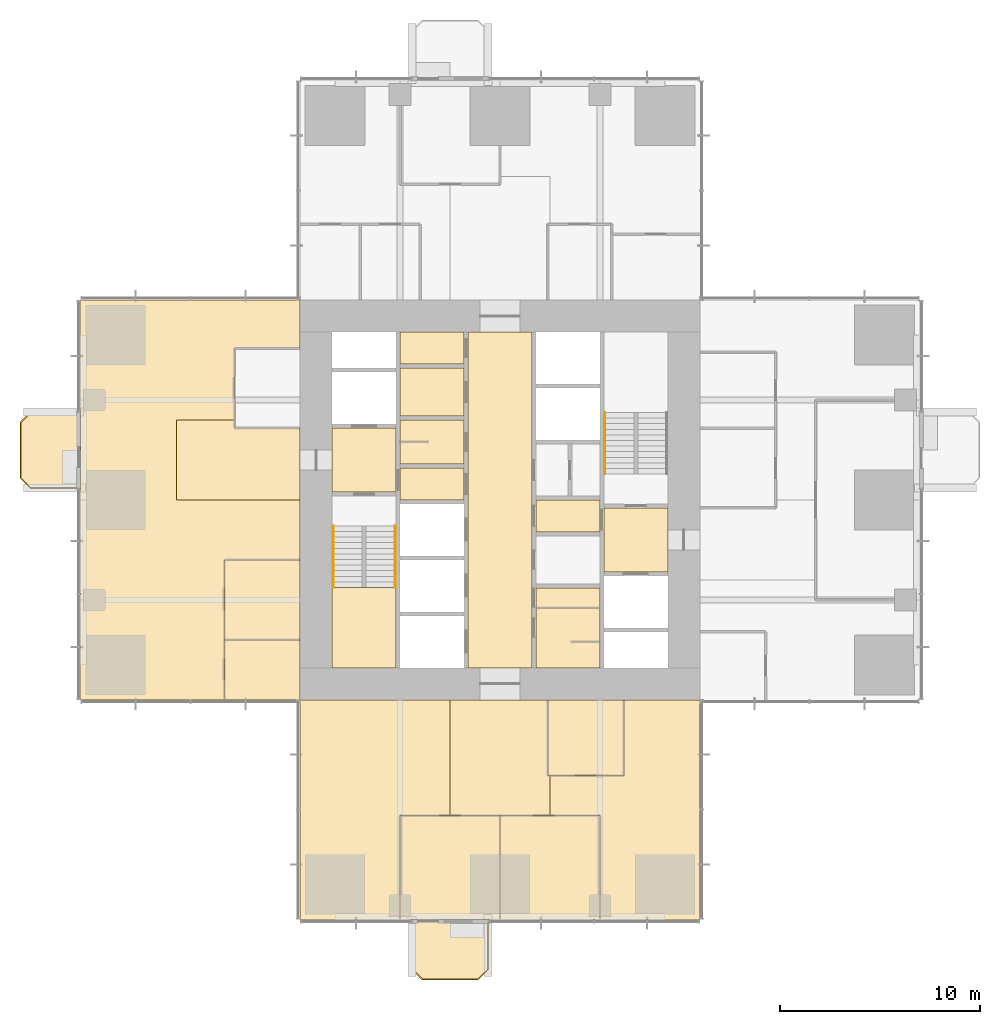
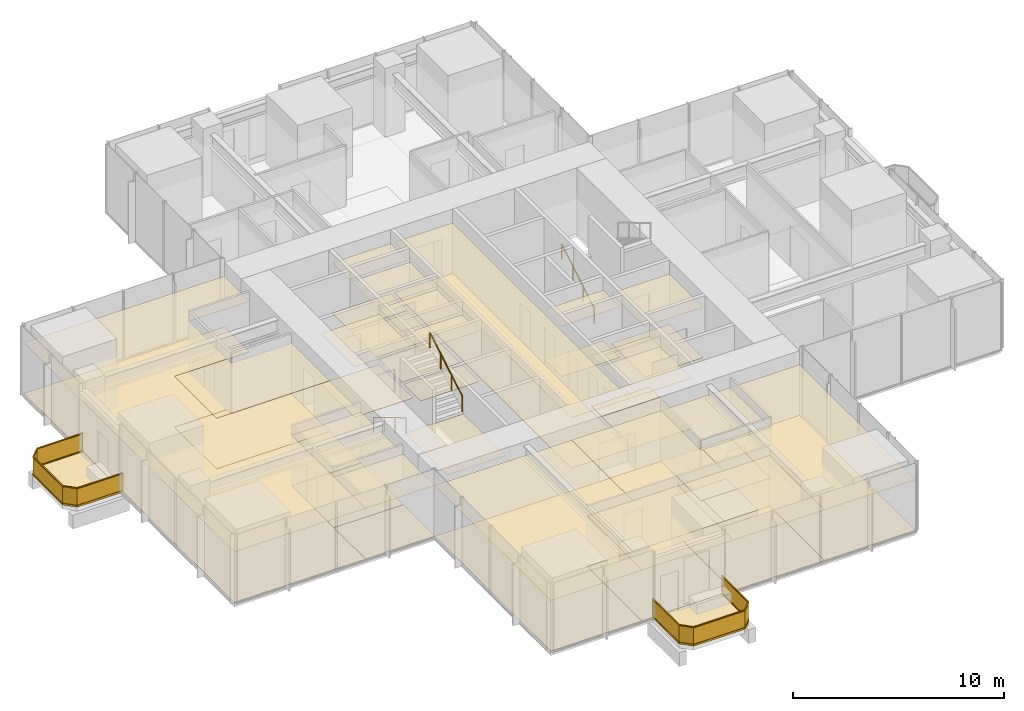
# One storey, part 11 of 13: 43 coverings, 5 railings.
"""IFC4 building model written with IfcOpenShell, lengths in metres."""

from ifc_helpers import new_model, si_unit, direction, frame, origin, origin_2d, place, context, subcontext, project, spatial, polyline, rectangle, circle, outline, extrude, material, layer, layer_set, type_object, element, save


model = new_model("IFC4")

# Units and contexts
model_context = context("Model", 3, precision=1e-05, world=origin(), true_north=direction((0.0, 1.0)))
body_context = subcontext(model_context, "Body", "Model", "MODEL_VIEW")
ifc_project = project(units=[si_unit("LENGTHUNIT", "METRE"), si_unit("AREAUNIT", "SQUARE_METRE"), si_unit("VOLUMEUNIT", "CUBIC_METRE"), si_unit("PLANEANGLEUNIT", "RADIAN"), si_unit("MASSUNIT", "GRAM", prefix="KILO")], contexts=[model_context])

# Site, building, storey
site_placement = place(None, origin())
site = spatial("IfcSite", under=ifc_project, at=site_placement, CompositionType="ELEMENT")
building_placement = place(site_placement, origin())
building = spatial("IfcBuilding", under=site, at=building_placement, Name="Svetlomir Tower", CompositionType="ELEMENT")
storey_placement = place(building_placement, frame((0.0, 0.0, 156.5)))
storey = spatial("IfcBuildingStorey", under=building, at=storey_placement, Name="L37", CompositionType="ELEMENT", Elevation=156.5)

# Railings
ifc_material_1 = material(Name="Bronze anodised aluminium and laminated glass", Category="aluminium")
railing_type_1 = type_object("IfcRailingType", Name="BALCONY GUARD GR1 1100", PredefinedType="GUARDRAIL", material=ifc_material_1)
railing_1_placement = place(storey_placement, frame((16.60009765625, 0.0, 0.0)))
element("IfcRailing", 1, at=railing_1_placement, inside=storey, type_object=railing_type_1, Name="Balcony guard S L37", PredefinedType="GUARDRAIL", context=body_context, shape_type="SweptSolid", body=[
    extrude(rectangle(XDim=0.06005859375, YDim=0.10009765625, at=origin_2d()), frame((0.0, 0.0, 0.050048828125), z_axis=(0.0, -1.0, 0.0), x_axis=(1.0, 0.0, 0.0)), (0.0, 0.0, 1.0), 2.5),
    extrude(rectangle(XDim=0.021484375, YDim=0.960205078125, at=origin_2d()), frame((0.0, 0.0, 0.580078125), z_axis=(0.0, -1.0, 0.0), x_axis=(1.0, 0.0, 0.0)), (0.0, 0.0, 1.0), 2.5),
    extrude(rectangle(XDim=0.06005859375, YDim=0.0400390625, at=origin_2d()), frame((0.0, 0.0, 1.080078125), z_axis=(0.0, -1.0, 0.0), x_axis=(1.0, 0.0, 0.0)), (0.0, 0.0, 1.0), 2.5),
    extrude(rectangle(XDim=0.06005859375, YDim=0.10009765625, at=origin_2d()), frame((0.0, -2.5, 0.050048828125), z_axis=(0.707106781187, -0.707106781187, 0.0), x_axis=(0.707106781187, 0.707106781187, 0.0)), (0.0, 0.0, 1.0), 0.70703125),
    extrude(rectangle(XDim=0.021484375, YDim=0.960205078125, at=origin_2d()), frame((0.0, -2.5, 0.580078125), z_axis=(0.707106781187, -0.707106781187, 0.0), x_axis=(0.707106781187, 0.707106781187, 0.0)), (0.0, 0.0, 1.0), 0.70703125),
    extrude(rectangle(XDim=0.06005859375, YDim=0.0400390625, at=origin_2d()), frame((0.0, -2.5, 1.080078125), z_axis=(0.707106781187, -0.707106781187, 0.0), x_axis=(0.707106781187, 0.707106781187, 0.0)), (0.0, 0.0, 1.0), 0.70703125),
    extrude(rectangle(XDim=0.06005859375, YDim=0.10009765625, at=origin_2d()), frame((0.5, -3.0, 0.050048828125), z_axis=(1.0, 0.0, 0.0), x_axis=(0.0, 1.0, 0.0)), (0.0, 0.0, 1.0), 2.7998046875),
    extrude(rectangle(XDim=0.021484375, YDim=0.960205078125, at=origin_2d()), frame((0.5, -3.0, 0.580078125), z_axis=(1.0, 0.0, 0.0), x_axis=(0.0, 1.0, 0.0)), (0.0, 0.0, 1.0), 2.7998046875),
    extrude(rectangle(XDim=0.06005859375, YDim=0.0400390625, at=origin_2d()), frame((0.5, -3.0, 1.080078125), z_axis=(1.0, 0.0, 0.0), x_axis=(0.0, 1.0, 0.0)), (0.0, 0.0, 1.0), 2.7998046875),
    extrude(rectangle(XDim=0.06005859375, YDim=0.10009765625, at=origin_2d()), frame((3.2998046875, -3.0, 0.050048828125), z_axis=(0.707106781187, 0.707106781187, 0.0), x_axis=(-0.707106781187, 0.707106781187, 0.0)), (0.0, 0.0, 1.0), 0.70703125),
    extrude(rectangle(XDim=0.021484375, YDim=0.960205078125, at=origin_2d()), frame((3.2998046875, -3.0, 0.580078125), z_axis=(0.707106781187, 0.707106781187, 0.0), x_axis=(-0.707106781187, 0.707106781187, 0.0)), (0.0, 0.0, 1.0), 0.70703125),
    extrude(rectangle(XDim=0.06005859375, YDim=0.0400390625, at=origin_2d()), frame((3.2998046875, -3.0, 1.080078125), z_axis=(0.707106781187, 0.707106781187, 0.0), x_axis=(-0.707106781187, 0.707106781187, 0.0)), (0.0, 0.0, 1.0), 0.70703125),
    extrude(rectangle(XDim=0.06005859375, YDim=0.10009765625, at=origin_2d()), frame((3.7998046875, -2.5, 0.050048828125), z_axis=(0.0, 1.0, 0.0), x_axis=(-1.0, 0.0, 0.0)), (0.0, 0.0, 1.0), 2.5),
    extrude(rectangle(XDim=0.021484375, YDim=0.960205078125, at=origin_2d()), frame((3.7998046875, -2.5, 0.580078125), z_axis=(0.0, 1.0, 0.0), x_axis=(-1.0, 0.0, 0.0)), (0.0, 0.0, 1.0), 2.5),
    extrude(rectangle(XDim=0.06005859375, YDim=0.0400390625, at=origin_2d()), frame((3.7998046875, -2.5, 1.080078125), z_axis=(0.0, 1.0, 0.0), x_axis=(-1.0, 0.0, 0.0)), (0.0, 0.0, 1.0), 2.5),
])
railing_2_placement = place(storey_placement, frame((0.0, 25.39990234375, 0.0)))
element("IfcRailing", 2, at=railing_2_placement, inside=storey, type_object=railing_type_1, Name="Balcony guard W L37", PredefinedType="GUARDRAIL", context=body_context, shape_type="SweptSolid", body=[
    extrude(rectangle(XDim=0.06005859375, YDim=0.10009765625, at=origin_2d()), frame((0.0, 0.0, 0.050048828125), z_axis=(-1.0, 0.0, 0.0), x_axis=(0.0, -1.0, 0.0)), (0.0, 0.0, 1.0), 2.5),
    extrude(rectangle(XDim=0.021484375, YDim=0.960205078125, at=origin_2d()), frame((0.0, 0.0, 0.580078125), z_axis=(-1.0, 0.0, 0.0), x_axis=(0.0, -1.0, 0.0)), (0.0, 0.0, 1.0), 2.5),
    extrude(rectangle(XDim=0.06005859375, YDim=0.0400390625, at=origin_2d()), frame((0.0, 0.0, 1.080078125), z_axis=(-1.0, 0.0, 0.0), x_axis=(0.0, -1.0, 0.0)), (0.0, 0.0, 1.0), 2.5),
    extrude(rectangle(XDim=0.06005859375, YDim=0.10009765625, at=origin_2d()), frame((-2.5, 0.0, 0.050048828125), z_axis=(-0.707106781187, -0.707106781187, 0.0), x_axis=(0.707106781187, -0.707106781187, 0.0)), (0.0, 0.0, 1.0), 0.70703125),
    extrude(rectangle(XDim=0.021484375, YDim=0.960205078125, at=origin_2d()), frame((-2.5, 0.0, 0.580078125), z_axis=(-0.707106781187, -0.707106781187, 0.0), x_axis=(0.707106781187, -0.707106781187, 0.0)), (0.0, 0.0, 1.0), 0.70703125),
    extrude(rectangle(XDim=0.06005859375, YDim=0.0400390625, at=origin_2d()), frame((-2.5, 0.0, 1.080078125), z_axis=(-0.707106781187, -0.707106781187, 0.0), x_axis=(0.707106781187, -0.707106781187, 0.0)), (0.0, 0.0, 1.0), 0.70703125),
    extrude(rectangle(XDim=0.06005859375, YDim=0.10009765625, at=origin_2d()), frame((-3.0, -0.5, 0.050048828125), z_axis=(0.0, -1.0, 0.0), x_axis=(1.0, 0.0, 0.0)), (0.0, 0.0, 1.0), 2.7998046875),
    extrude(rectangle(XDim=0.021484375, YDim=0.960205078125, at=origin_2d()), frame((-3.0, -0.5, 0.580078125), z_axis=(0.0, -1.0, 0.0), x_axis=(1.0, 0.0, 0.0)), (0.0, 0.0, 1.0), 2.7998046875),
    extrude(rectangle(XDim=0.06005859375, YDim=0.0400390625, at=origin_2d()), frame((-3.0, -0.5, 1.080078125), z_axis=(0.0, -1.0, 0.0), x_axis=(1.0, 0.0, 0.0)), (0.0, 0.0, 1.0), 2.7998046875),
    extrude(rectangle(XDim=0.06005859375, YDim=0.10009765625, at=origin_2d()), frame((-3.0, -3.2998046875, 0.050048828125), z_axis=(0.707106781187, -0.707106781187, 0.0), x_axis=(0.707106781187, 0.707106781187, 0.0)), (0.0, 0.0, 1.0), 0.70703125),
    extrude(rectangle(XDim=0.021484375, YDim=0.960205078125, at=origin_2d()), frame((-3.0, -3.2998046875, 0.580078125), z_axis=(0.707106781187, -0.707106781187, 0.0), x_axis=(0.707106781187, 0.707106781187, 0.0)), (0.0, 0.0, 1.0), 0.70703125),
    extrude(rectangle(XDim=0.06005859375, YDim=0.0400390625, at=origin_2d()), frame((-3.0, -3.2998046875, 1.080078125), z_axis=(0.707106781187, -0.707106781187, 0.0), x_axis=(0.707106781187, 0.707106781187, 0.0)), (0.0, 0.0, 1.0), 0.70703125),
    extrude(rectangle(XDim=0.06005859375, YDim=0.10009765625, at=origin_2d()), frame((-2.5, -3.7998046875, 0.050048828125), z_axis=(1.0, 0.0, 0.0), x_axis=(0.0, 1.0, 0.0)), (0.0, 0.0, 1.0), 2.5),
    extrude(rectangle(XDim=0.021484375, YDim=0.960205078125, at=origin_2d()), frame((-2.5, -3.7998046875, 0.580078125), z_axis=(1.0, 0.0, 0.0), x_axis=(0.0, 1.0, 0.0)), (0.0, 0.0, 1.0), 2.5),
    extrude(rectangle(XDim=0.06005859375, YDim=0.0400390625, at=origin_2d()), frame((-2.5, -3.7998046875, 1.080078125), z_axis=(1.0, 0.0, 0.0), x_axis=(0.0, 1.0, 0.0)), (0.0, 0.0, 1.0), 2.5),
])

# Coverings
ifc_material_2 = material(Name="Granite paving slabs on pedestals", Category="masonry")
ifc_layer_1 = layer(ifc_material_2, 0.0400390625)
ifc_layer_set_1 = layer_set([ifc_layer_1], Name="Granite paving slabs on pedestals")
covering_type_1 = type_object("IfcCoveringType", Name="BALCONY PAVING 40", PredefinedType="USERDEFINED", material=ifc_layer_set_1)
covering_1_placement = place(storey_placement, origin())
element("IfcCovering", 3, at=covering_1_placement, inside=storey, type_object=covering_type_1, Name="Balcony paving S L37", ObjectType="BALCONY PAVING", PredefinedType="USERDEFINED", context=body_context, shape_type="SweptSolid", body=[
    extrude(outline(polyline([(16.60009765625, -2.5), (17.10009765625, -3.0), (19.89990234375, -3.0), (20.39990234375, -2.5), (20.39990234375, 0.0), (16.60009765625, 0.0), (16.60009765625, -2.5)])), origin(), (0.0, 0.0, 1.0), 0.0400390625),
])
covering_2_placement = place(storey_placement, origin())
element("IfcCovering", 4, at=covering_2_placement, inside=storey, type_object=covering_type_1, Name="Balcony paving W L37", ObjectType="BALCONY PAVING", PredefinedType="USERDEFINED", context=body_context, shape_type="SweptSolid", body=[
    extrude(outline(polyline([(-2.5, 21.60009765625), (0.0, 21.60009765625), (0.0, 25.39990234375), (-2.5, 25.39990234375), (-3.0, 24.89990234375), (-3.0, 22.10009765625), (-2.5, 21.60009765625)])), origin(), (0.0, 0.0, 1.0), 0.0400390625),
])
ifc_material_3 = material(Name="Carpet tile", Category="textile")
ifc_layer_2 = layer(ifc_material_3, 0.010009765625)
ifc_layer_set_2 = layer_set([ifc_layer_2], Name="Carpet tile")
covering_type_2 = type_object("IfcCoveringType", Name="CARPET TILE FLOOR 10", PredefinedType="FLOORING", material=ifc_layer_set_2)
covering_3_placement = place(storey_placement, origin())
element("IfcCovering", 5, at=covering_3_placement, inside=storey, type_object=covering_type_2, Name="Floor finish L37-16", PredefinedType="FLOORING", context=body_context, shape_type="SweptSolid", body=[
    extrude(outline(polyline([(23.39990234375, 7.199951171875), (27.199951171875, 7.199951171875), (27.199951171875, 11.0), (23.39990234375, 11.0), (23.39990234375, 7.199951171875)])), origin(), (0.0, 0.0, 1.0), 0.010009765625),
])
covering_4_placement = place(storey_placement, origin())
element("IfcCovering", 6, at=covering_4_placement, inside=storey, type_object=covering_type_2, Name="Floor finish L37-17", PredefinedType="FLOORING", context=body_context, shape_type="SweptSolid", body=[
    extrude(outline(polyline([(16.0, 0.0), (21.0, 0.0), (21.0, 5.199951171875), (16.0, 5.199951171875), (16.0, 0.0)])), origin(), (0.0, 0.0, 1.0), 0.010009765625),
])
covering_5_placement = place(storey_placement, origin())
element("IfcCovering", 7, at=covering_5_placement, inside=storey, type_object=covering_type_2, Name="Floor finish L37-18", PredefinedType="FLOORING", context=body_context, shape_type="SweptSolid", body=[
    extrude(outline(polyline([(21.0, 0.0), (26.0, 0.0), (26.0, 5.199951171875), (21.0, 5.199951171875), (21.0, 0.0)])), origin(), (0.0, 0.0, 1.0), 0.010009765625),
])
covering_6_placement = place(storey_placement, origin())
element("IfcCovering", 8, at=covering_6_placement, inside=storey, type_object=covering_type_2, Name="Floor finish L37-28", PredefinedType="FLOORING", context=body_context, shape_type="SweptSolid", body=[
    extrude(outline(polyline([(7.199951171875, 11.0), (11.0, 11.0), (11.0, 14.0), (7.199951171875, 14.0), (7.199951171875, 11.0)])), origin(), (0.0, 0.0, 1.0), 0.010009765625),
])
covering_7_placement = place(storey_placement, origin())
element("IfcCovering", 9, at=covering_7_placement, inside=storey, type_object=covering_type_2, Name="Floor finish L37-29", PredefinedType="FLOORING", context=body_context, shape_type="SweptSolid", body=[
    extrude(outline(polyline([(7.199951171875, 14.0), (11.0, 14.0), (11.0, 18.0), (7.199951171875, 18.0), (7.199951171875, 14.0)])), origin(), (0.0, 0.0, 1.0), 0.010009765625),
])
covering_8_placement = place(storey_placement, origin())
element("IfcCovering", 10, at=covering_8_placement, inside=storey, type_object=covering_type_2, Name="Floor finish L37-31", PredefinedType="FLOORING", context=body_context, shape_type="SweptSolid", body=[
    extrude(outline(polyline([(23.39990234375, 11.0), (23.39990234375, 7.199951171875), (23.5, 7.199951171875), (23.5, 5.199951171875), (18.5, 5.199951171875), (18.5, 11.0), (23.39990234375, 11.0)])), origin(), (0.0, 0.0, 1.0), 0.010009765625),
])
covering_9_placement = place(storey_placement, origin())
element("IfcCovering", 11, at=covering_9_placement, inside=storey, type_object=covering_type_2, Name="Floor finish L37-34", PredefinedType="FLOORING", context=body_context, shape_type="SweptSolid", body=[
    extrude(outline(polyline([(7.699951171875, 24.60009765625), (11.0, 24.60009765625), (11.0, 21.0), (4.800048828125, 21.0), (4.800048828125, 25.0), (7.699951171875, 25.0), (7.699951171875, 24.60009765625)])), origin(), (0.0, 0.0, 1.0), 0.010009765625),
])
covering_10_placement = place(storey_placement, origin())
element("IfcCovering", 12, at=covering_10_placement, inside=storey, type_object=covering_type_2, Name="Floor finish L37-35", PredefinedType="FLOORING", context=body_context, shape_type="SweptSolid", body=[
    extrude(outline(polyline([(18.5, 11.0), (18.5, 5.199951171875), (16.0, 5.199951171875), (16.0, 0.0), (11.0, 0.0), (11.0, 11.0), (18.5, 11.0)])), origin(), (0.0, 0.0, 1.0), 0.010009765625),
])
covering_11_placement = place(storey_placement, origin())
element("IfcCovering", 13, at=covering_11_placement, inside=storey, type_object=covering_type_2, Name="Floor finish L37-36", PredefinedType="FLOORING", context=body_context, shape_type="SweptSolid", body=[
    extrude(outline(polyline([(27.199951171875, 11.0), (31.0, 11.0), (31.0, 0.0), (26.0, 0.0), (26.0, 5.199951171875), (23.5, 5.199951171875), (23.5, 7.199951171875), (27.199951171875, 7.199951171875), (27.199951171875, 11.0)])), origin(), (0.0, 0.0, 1.0), 0.010009765625),
])
covering_12_placement = place(storey_placement, origin())
element("IfcCovering", 14, at=covering_12_placement, inside=storey, type_object=covering_type_2, Name="Floor finish L37-41", PredefinedType="FLOORING", context=body_context, shape_type="SweptSolid", body=[
    extrude(outline(polyline([(11.0, 31.0), (11.0, 28.60009765625), (7.699951171875, 28.60009765625), (7.699951171875, 25.0), (4.800048828125, 25.0), (4.800048828125, 21.0), (11.0, 21.0), (11.0, 18.0), (7.199951171875, 18.0), (7.199951171875, 11.0), (0.0, 11.0), (0.0, 31.0), (11.0, 31.0)])), origin(), (0.0, 0.0, 1.0), 0.010009765625),
])
ifc_material_4 = material(Name="Ceramic floor tile", Category="ceramic")
ifc_layer_3 = layer(ifc_material_4, 0.014892578125)
ifc_layer_set_3 = layer_set([ifc_layer_3], Name="Ceramic floor tile")
covering_type_3 = type_object("IfcCoveringType", Name="CERAMIC TILE FLOOR 15", PredefinedType="FLOORING", material=ifc_layer_set_3)
covering_13_placement = place(storey_placement, origin())
element("IfcCovering", 15, at=covering_13_placement, inside=storey, type_object=covering_type_3, Name="Floor finish L37-04", PredefinedType="FLOORING", context=body_context, shape_type="SweptSolid", body=[
    extrude(outline(polyline([(16.0, 22.800048828125), (19.199951171875, 22.800048828125), (19.199951171875, 25.0), (16.0, 25.0), (16.0, 22.800048828125)])), origin(), (0.0, 0.0, 1.0), 0.014892578125),
])
covering_14_placement = place(storey_placement, origin())
element("IfcCovering", 16, at=covering_14_placement, inside=storey, type_object=covering_type_3, Name="Floor finish L37-05", PredefinedType="FLOORING", context=body_context, shape_type="SweptSolid", body=[
    extrude(outline(polyline([(16.0, 25.199951171875), (19.199951171875, 25.199951171875), (19.199951171875, 27.60009765625), (16.0, 27.60009765625), (16.0, 25.199951171875)])), origin(), (0.0, 0.0, 1.0), 0.014892578125),
])
covering_15_placement = place(storey_placement, origin())
element("IfcCovering", 17, at=covering_15_placement, inside=storey, type_object=covering_type_3, Name="Floor finish L37-08", PredefinedType="FLOORING", context=body_context, shape_type="SweptSolid", body=[
    extrude(outline(polyline([(22.800048828125, 15.60009765625), (26.0, 15.60009765625), (26.0, 16.60009765625), (22.800048828125, 16.60009765625), (22.800048828125, 15.60009765625)])), origin(), (0.0, 0.0, 1.0), 0.014892578125),
])
covering_16_placement = place(storey_placement, origin())
element("IfcCovering", 18, at=covering_16_placement, inside=storey, type_object=covering_type_3, Name="Floor finish L37-09", PredefinedType="FLOORING", context=body_context, shape_type="SweptSolid", body=[
    extrude(outline(polyline([(22.800048828125, 12.60009765625), (26.0, 12.60009765625), (26.0, 15.60009765625), (22.800048828125, 15.60009765625), (22.800048828125, 12.60009765625)])), origin(), (0.0, 0.0, 1.0), 0.014892578125),
])

# Railings
ifc_material_5 = material(Name="Stainless steel", Category="steel")
railing_type_2 = type_object("IfcRailingType", Name="HANDRAIL HR1 900", PredefinedType="HANDRAIL", material=ifc_material_5)
railing_3_placement = place(storey_placement, frame((12.64990234375, 19.699951171875, 0.166748046875)))
element("IfcRailing", 19, at=railing_3_placement, inside=storey, type_object=railing_type_2, Name="Handrail S1 flight 1 L37", PredefinedType="HANDRAIL", context=body_context, shape_type="SweptSolid", body=[
    extrude(circle(Radius=0.02392578125, at=origin_2d()), frame((0.0, 0.0, 0.8759765625), z_axis=(0.0, -0.859290745958, 0.51148745235), x_axis=(1.0, 0.0, 0.0)), (0.0, 0.0, 1.0), 3.584228515625),
    extrude(circle(Radius=0.02099609375, at=origin_2d()), origin(), (0.0, 0.0, 1.0), 0.851806640625),
    extrude(circle(Radius=0.02099609375, at=origin_2d()), frame((0.0, -1.026611328125, 0.611083984375)), (0.0, 0.0, 1.0), 0.851806640625),
    extrude(circle(Radius=0.02099609375, at=origin_2d()), frame((0.0, -2.05322265625, 1.22216796875)), (0.0, 0.0, 1.0), 0.851806640625),
    extrude(circle(Radius=0.02099609375, at=origin_2d()), frame((0.0, -3.079833984375, 1.833251953125)), (0.0, 0.0, 1.0), 0.851806640625),
])
for number, where, name in (
    (20, (15.75, 16.6201171875, 2.166748046875), "Handrail S1 flight 2 L37"),
    (21, (26.25, 22.300048828125, 0.166748046875), "Handrail S2 flight 1 L37"),
):
    element("IfcRailing", number, at=place(storey_placement, frame(where)), inside=storey, type_object=railing_type_2, Name=name, PredefinedType="HANDRAIL", context=body_context, shape_type="SweptSolid", body=[
        extrude(circle(Radius=0.02392578125, at=origin_2d()), frame((0.0, 0.0, 0.8759765625), z_axis=(0.0, 0.859290745958, 0.51148745235), x_axis=(-1.0, 0.0, 0.0)), (0.0, 0.0, 1.0), 3.584228515625),
        extrude(circle(Radius=0.02099609375, at=origin_2d()), origin(), (0.0, 0.0, 1.0), 0.851806640625),
        extrude(circle(Radius=0.02099609375, at=origin_2d()), frame((0.0, 1.026611328125, 0.611083984375)), (0.0, 0.0, 1.0), 0.851806640625),
        extrude(circle(Radius=0.02099609375, at=origin_2d()), frame((0.0, 2.05322265625, 1.22216796875)), (0.0, 0.0, 1.0), 0.851806640625),
        extrude(circle(Radius=0.02099609375, at=origin_2d()), frame((0.0, 3.079833984375, 1.833251953125)), (0.0, 0.0, 1.0), 0.851806640625),
    ])

# Coverings
ifc_material_6 = material(Name="Moisture resistant plasterboard ceiling", Category="gypsum")
ifc_layer_4 = layer(ifc_material_6, 0.012451171875)
ifc_layer_set_4 = layer_set([ifc_layer_4], Name="Moisture resistant plasterboard ceiling")
covering_type_4 = type_object("IfcCoveringType", Name="MOISTURE RESISTANT CEILING 12.5", PredefinedType="CEILING", material=ifc_layer_set_4)
covering_17_placement = place(storey_placement, frame((0.0, 0.0, 2.9375)))
element("IfcCovering", 22, at=covering_17_placement, inside=storey, type_object=covering_type_4, Name="Ceiling L37-04", PredefinedType="CEILING", context=body_context, shape_type="SweptSolid", body=[
    extrude(outline(polyline([(16.0, 22.800048828125), (19.199951171875, 22.800048828125), (19.199951171875, 25.0), (16.0, 25.0), (16.0, 22.800048828125)])), origin(), (0.0, 0.0, 1.0), 0.012451171875),
])
covering_18_placement = place(storey_placement, frame((0.0, 0.0, 2.9375)))
element("IfcCovering", 23, at=covering_18_placement, inside=storey, type_object=covering_type_4, Name="Ceiling L37-05", PredefinedType="CEILING", context=body_context, shape_type="SweptSolid", body=[
    extrude(outline(polyline([(16.0, 25.199951171875), (19.199951171875, 25.199951171875), (19.199951171875, 27.60009765625), (16.0, 27.60009765625), (16.0, 25.199951171875)])), origin(), (0.0, 0.0, 1.0), 0.012451171875),
])
covering_19_placement = place(storey_placement, frame((0.0, 0.0, 2.9375)))
element("IfcCovering", 24, at=covering_19_placement, inside=storey, type_object=covering_type_4, Name="Ceiling L37-08", PredefinedType="CEILING", context=body_context, shape_type="SweptSolid", body=[
    extrude(outline(polyline([(22.800048828125, 15.60009765625), (26.0, 15.60009765625), (26.0, 16.60009765625), (22.800048828125, 16.60009765625), (22.800048828125, 15.60009765625)])), origin(), (0.0, 0.0, 1.0), 0.012451171875),
])
covering_20_placement = place(storey_placement, frame((0.0, 0.0, 2.9375)))
element("IfcCovering", 25, at=covering_20_placement, inside=storey, type_object=covering_type_4, Name="Ceiling L37-09", PredefinedType="CEILING", context=body_context, shape_type="SweptSolid", body=[
    extrude(outline(polyline([(22.800048828125, 12.60009765625), (26.0, 12.60009765625), (26.0, 15.60009765625), (22.800048828125, 15.60009765625), (22.800048828125, 12.60009765625)])), origin(), (0.0, 0.0, 1.0), 0.012451171875),
])
ifc_material_7 = material(Name="Gypsum plasterboard ceiling", Category="gypsum")
ifc_layer_5 = layer(ifc_material_7, 0.014892578125)
ifc_layer_set_5 = layer_set([ifc_layer_5], Name="Gypsum plasterboard ceiling")
covering_type_5 = type_object("IfcCoveringType", Name="PLASTERBOARD CEILING 15", PredefinedType="CEILING", material=ifc_layer_set_5)
covering_21_placement = place(storey_placement, frame((0.0, 0.0, 2.93505859375)))
element("IfcCovering", 26, at=covering_21_placement, inside=storey, type_object=covering_type_5, Name="Ceiling L37-02", PredefinedType="CEILING", context=body_context, shape_type="SweptSolid", body=[
    extrude(outline(polyline([(12.60009765625, 21.39990234375), (15.800048828125, 21.39990234375), (15.800048828125, 24.60009765625), (12.60009765625, 24.60009765625), (12.60009765625, 21.39990234375)])), origin(), (0.0, 0.0, 1.0), 0.014892578125),
])
covering_22_placement = place(storey_placement, frame((0.0, 0.0, 2.93505859375)))
element("IfcCovering", 27, at=covering_22_placement, inside=storey, type_object=covering_type_5, Name="Ceiling L37-03", PredefinedType="CEILING", context=body_context, shape_type="SweptSolid", body=[
    extrude(outline(polyline([(16.0, 21.0), (19.199951171875, 21.0), (19.199951171875, 22.60009765625), (16.0, 22.60009765625), (16.0, 21.0)])), origin(), (0.0, 0.0, 1.0), 0.014892578125),
])
covering_23_placement = place(storey_placement, frame((0.0, 0.0, 2.93505859375)))
element("IfcCovering", 28, at=covering_23_placement, inside=storey, type_object=covering_type_5, Name="Ceiling L37-06", PredefinedType="CEILING", context=body_context, shape_type="SweptSolid", body=[
    extrude(outline(polyline([(16.0, 27.800048828125), (19.199951171875, 27.800048828125), (19.199951171875, 29.39990234375), (16.0, 29.39990234375), (16.0, 27.800048828125)])), origin(), (0.0, 0.0, 1.0), 0.014892578125),
])
covering_24_placement = place(storey_placement, frame((0.0, 0.0, 2.93505859375)))
element("IfcCovering", 29, at=covering_24_placement, inside=storey, type_object=covering_type_5, Name="Ceiling L37-07", PredefinedType="CEILING", context=body_context, shape_type="SweptSolid", body=[
    extrude(outline(polyline([(19.39990234375, 12.60009765625), (22.60009765625, 12.60009765625), (22.60009765625, 29.39990234375), (19.39990234375, 29.39990234375), (19.39990234375, 12.60009765625)])), origin(), (0.0, 0.0, 1.0), 0.014892578125),
])
covering_25_placement = place(storey_placement, frame((0.0, 0.0, 2.93505859375)))
element("IfcCovering", 30, at=covering_25_placement, inside=storey, type_object=covering_type_5, Name="Ceiling L37-11", PredefinedType="CEILING", context=body_context, shape_type="SweptSolid", body=[
    extrude(outline(polyline([(22.800048828125, 19.39990234375), (26.0, 19.39990234375), (26.0, 21.0), (22.800048828125, 21.0), (22.800048828125, 19.39990234375)])), origin(), (0.0, 0.0, 1.0), 0.014892578125),
])
covering_26_placement = place(storey_placement, frame((0.0, 0.0, 2.93505859375)))
element("IfcCovering", 31, at=covering_26_placement, inside=storey, type_object=covering_type_5, Name="Ceiling L37-12", PredefinedType="CEILING", context=body_context, shape_type="SweptSolid", body=[
    extrude(outline(polyline([(26.199951171875, 17.39990234375), (29.39990234375, 17.39990234375), (29.39990234375, 20.60009765625), (26.199951171875, 20.60009765625), (26.199951171875, 17.39990234375)])), origin(), (0.0, 0.0, 1.0), 0.014892578125),
])
ifc_material_8 = material(Name="Studded rubber floor finish", Category="rubber")
ifc_layer_6 = layer(ifc_material_8, 0.006103515625)
ifc_layer_set_6 = layer_set([ifc_layer_6], Name="Studded rubber floor finish")
covering_type_6 = type_object("IfcCoveringType", Name="RUBBER LANDING FINISH 6", PredefinedType="FLOORING", material=ifc_layer_set_6)
covering_27_placement = place(storey_placement, frame((0.0, 0.0, 2.0)))
element("IfcCovering", 32, at=covering_27_placement, inside=storey, type_object=covering_type_6, Name="Stair S1 landing finish L37", PredefinedType="FLOORING", context=body_context, shape_type="SweptSolid", body=[
    extrude(outline(polyline([(12.60009765625, 12.60009765625), (15.800048828125, 12.60009765625), (15.800048828125, 16.6201171875), (12.60009765625, 16.6201171875), (12.60009765625, 12.60009765625)])), origin(), (0.0, 0.0, 1.0), 0.006103515625),
])
ifc_material_9 = material(Name="Mineral fibre ceiling tile", Category="mineral")
ifc_layer_7 = layer(ifc_material_9, 0.02001953125)
ifc_layer_set_7 = layer_set([ifc_layer_7], Name="Mineral fibre ceiling tile")
covering_type_7 = type_object("IfcCoveringType", Name="SUSPENDED CEILING 20", PredefinedType="CEILING", material=ifc_layer_set_7)
covering_28_placement = place(storey_placement, frame((0.0, 0.0, 2.929931640625)))
element("IfcCovering", 33, at=covering_28_placement, inside=storey, type_object=covering_type_7, Name="Ceiling L37-16", PredefinedType="CEILING", context=body_context, shape_type="SweptSolid", body=[
    extrude(outline(polyline([(23.39990234375, 7.199951171875), (27.199951171875, 7.199951171875), (27.199951171875, 11.0), (23.39990234375, 11.0), (23.39990234375, 7.199951171875)])), origin(), (0.0, 0.0, 1.0), 0.02001953125),
])
covering_29_placement = place(storey_placement, frame((0.0, 0.0, 2.929931640625)))
element("IfcCovering", 34, at=covering_29_placement, inside=storey, type_object=covering_type_7, Name="Ceiling L37-17", PredefinedType="CEILING", context=body_context, shape_type="SweptSolid", body=[
    extrude(outline(polyline([(16.0, 0.0), (21.0, 0.0), (21.0, 5.199951171875), (16.0, 5.199951171875), (16.0, 0.0)])), origin(), (0.0, 0.0, 1.0), 0.02001953125),
])
covering_30_placement = place(storey_placement, frame((0.0, 0.0, 2.929931640625)))
element("IfcCovering", 35, at=covering_30_placement, inside=storey, type_object=covering_type_7, Name="Ceiling L37-18", PredefinedType="CEILING", context=body_context, shape_type="SweptSolid", body=[
    extrude(outline(polyline([(21.0, 0.0), (26.0, 0.0), (26.0, 5.199951171875), (21.0, 5.199951171875), (21.0, 0.0)])), origin(), (0.0, 0.0, 1.0), 0.02001953125),
])
covering_31_placement = place(storey_placement, frame((0.0, 0.0, 2.929931640625)))
element("IfcCovering", 36, at=covering_31_placement, inside=storey, type_object=covering_type_7, Name="Ceiling L37-28", PredefinedType="CEILING", context=body_context, shape_type="SweptSolid", body=[
    extrude(outline(polyline([(7.199951171875, 11.0), (11.0, 11.0), (11.0, 14.0), (7.199951171875, 14.0), (7.199951171875, 11.0)])), origin(), (0.0, 0.0, 1.0), 0.02001953125),
])
covering_32_placement = place(storey_placement, frame((0.0, 0.0, 2.929931640625)))
element("IfcCovering", 37, at=covering_32_placement, inside=storey, type_object=covering_type_7, Name="Ceiling L37-29", PredefinedType="CEILING", context=body_context, shape_type="SweptSolid", body=[
    extrude(outline(polyline([(7.199951171875, 14.0), (11.0, 14.0), (11.0, 18.0), (7.199951171875, 18.0), (7.199951171875, 14.0)])), origin(), (0.0, 0.0, 1.0), 0.02001953125),
])
covering_33_placement = place(storey_placement, frame((0.0, 0.0, 2.929931640625)))
element("IfcCovering", 38, at=covering_33_placement, inside=storey, type_object=covering_type_7, Name="Ceiling L37-31", PredefinedType="CEILING", context=body_context, shape_type="SweptSolid", body=[
    extrude(outline(polyline([(23.39990234375, 11.0), (23.39990234375, 7.199951171875), (23.5, 7.199951171875), (23.5, 5.199951171875), (18.5, 5.199951171875), (18.5, 11.0), (23.39990234375, 11.0)])), origin(), (0.0, 0.0, 1.0), 0.02001953125),
])
covering_34_placement = place(storey_placement, frame((0.0, 0.0, 2.929931640625)))
element("IfcCovering", 39, at=covering_34_placement, inside=storey, type_object=covering_type_7, Name="Ceiling L37-34", PredefinedType="CEILING", context=body_context, shape_type="SweptSolid", body=[
    extrude(outline(polyline([(7.699951171875, 24.60009765625), (11.0, 24.60009765625), (11.0, 21.0), (4.800048828125, 21.0), (4.800048828125, 25.0), (7.699951171875, 25.0), (7.699951171875, 24.60009765625)])), origin(), (0.0, 0.0, 1.0), 0.02001953125),
])
covering_35_placement = place(storey_placement, frame((0.0, 0.0, 2.929931640625)))
element("IfcCovering", 40, at=covering_35_placement, inside=storey, type_object=covering_type_7, Name="Ceiling L37-35", PredefinedType="CEILING", context=body_context, shape_type="SweptSolid", body=[
    extrude(outline(polyline([(18.5, 11.0), (18.5, 5.199951171875), (16.0, 5.199951171875), (16.0, 0.0), (11.0, 0.0), (11.0, 11.0), (18.5, 11.0)])), origin(), (0.0, 0.0, 1.0), 0.02001953125),
])
covering_36_placement = place(storey_placement, frame((0.0, 0.0, 2.929931640625)))
element("IfcCovering", 41, at=covering_36_placement, inside=storey, type_object=covering_type_7, Name="Ceiling L37-36", PredefinedType="CEILING", context=body_context, shape_type="SweptSolid", body=[
    extrude(outline(polyline([(27.199951171875, 11.0), (31.0, 11.0), (31.0, 0.0), (26.0, 0.0), (26.0, 5.199951171875), (23.5, 5.199951171875), (23.5, 7.199951171875), (27.199951171875, 7.199951171875), (27.199951171875, 11.0)])), origin(), (0.0, 0.0, 1.0), 0.02001953125),
])
covering_37_placement = place(storey_placement, frame((0.0, 0.0, 2.929931640625)))
element("IfcCovering", 42, at=covering_37_placement, inside=storey, type_object=covering_type_7, Name="Ceiling L37-41", PredefinedType="CEILING", context=body_context, shape_type="SweptSolid", body=[
    extrude(outline(polyline([(11.0, 31.0), (11.0, 28.60009765625), (7.699951171875, 28.60009765625), (7.699951171875, 25.0), (4.800048828125, 25.0), (4.800048828125, 21.0), (11.0, 21.0), (11.0, 18.0), (7.199951171875, 18.0), (7.199951171875, 11.0), (0.0, 11.0), (0.0, 31.0), (11.0, 31.0)])), origin(), (0.0, 0.0, 1.0), 0.02001953125),
])
ifc_material_10 = material(Name="Bronze-aggregate terrazzo", Category="stone")
ifc_layer_8 = layer(ifc_material_10, 0.030029296875)
ifc_layer_set_8 = layer_set([ifc_layer_8], Name="Bronze-aggregate terrazzo")
covering_type_8 = type_object("IfcCoveringType", Name="TERRAZZO FLOOR 30", PredefinedType="FLOORING", material=ifc_layer_set_8)
covering_38_placement = place(storey_placement, origin())
element("IfcCovering", 43, at=covering_38_placement, inside=storey, type_object=covering_type_8, Name="Floor finish L37-02", PredefinedType="FLOORING", context=body_context, shape_type="SweptSolid", body=[
    extrude(outline(polyline([(12.60009765625, 21.39990234375), (15.800048828125, 21.39990234375), (15.800048828125, 24.60009765625), (12.60009765625, 24.60009765625), (12.60009765625, 21.39990234375)])), origin(), (0.0, 0.0, 1.0), 0.030029296875),
])
covering_39_placement = place(storey_placement, origin())
element("IfcCovering", 44, at=covering_39_placement, inside=storey, type_object=covering_type_8, Name="Floor finish L37-03", PredefinedType="FLOORING", context=body_context, shape_type="SweptSolid", body=[
    extrude(outline(polyline([(16.0, 21.0), (19.199951171875, 21.0), (19.199951171875, 22.60009765625), (16.0, 22.60009765625), (16.0, 21.0)])), origin(), (0.0, 0.0, 1.0), 0.030029296875),
])
covering_40_placement = place(storey_placement, origin())
element("IfcCovering", 45, at=covering_40_placement, inside=storey, type_object=covering_type_8, Name="Floor finish L37-06", PredefinedType="FLOORING", context=body_context, shape_type="SweptSolid", body=[
    extrude(outline(polyline([(16.0, 27.800048828125), (19.199951171875, 27.800048828125), (19.199951171875, 29.39990234375), (16.0, 29.39990234375), (16.0, 27.800048828125)])), origin(), (0.0, 0.0, 1.0), 0.030029296875),
])
covering_41_placement = place(storey_placement, origin())
element("IfcCovering", 46, at=covering_41_placement, inside=storey, type_object=covering_type_8, Name="Floor finish L37-07", PredefinedType="FLOORING", context=body_context, shape_type="SweptSolid", body=[
    extrude(outline(polyline([(19.39990234375, 12.60009765625), (22.60009765625, 12.60009765625), (22.60009765625, 29.39990234375), (19.39990234375, 29.39990234375), (19.39990234375, 12.60009765625)])), origin(), (0.0, 0.0, 1.0), 0.030029296875),
])
covering_42_placement = place(storey_placement, origin())
element("IfcCovering", 47, at=covering_42_placement, inside=storey, type_object=covering_type_8, Name="Floor finish L37-11", PredefinedType="FLOORING", context=body_context, shape_type="SweptSolid", body=[
    extrude(outline(polyline([(22.800048828125, 19.39990234375), (26.0, 19.39990234375), (26.0, 21.0), (22.800048828125, 21.0), (22.800048828125, 19.39990234375)])), origin(), (0.0, 0.0, 1.0), 0.030029296875),
])
covering_43_placement = place(storey_placement, origin())
element("IfcCovering", 48, at=covering_43_placement, inside=storey, type_object=covering_type_8, Name="Floor finish L37-12", PredefinedType="FLOORING", context=body_context, shape_type="SweptSolid", body=[
    extrude(outline(polyline([(26.199951171875, 17.39990234375), (29.39990234375, 17.39990234375), (29.39990234375, 20.60009765625), (26.199951171875, 20.60009765625), (26.199951171875, 17.39990234375)])), origin(), (0.0, 0.0, 1.0), 0.030029296875),
])

save(model, "model.ifc")
